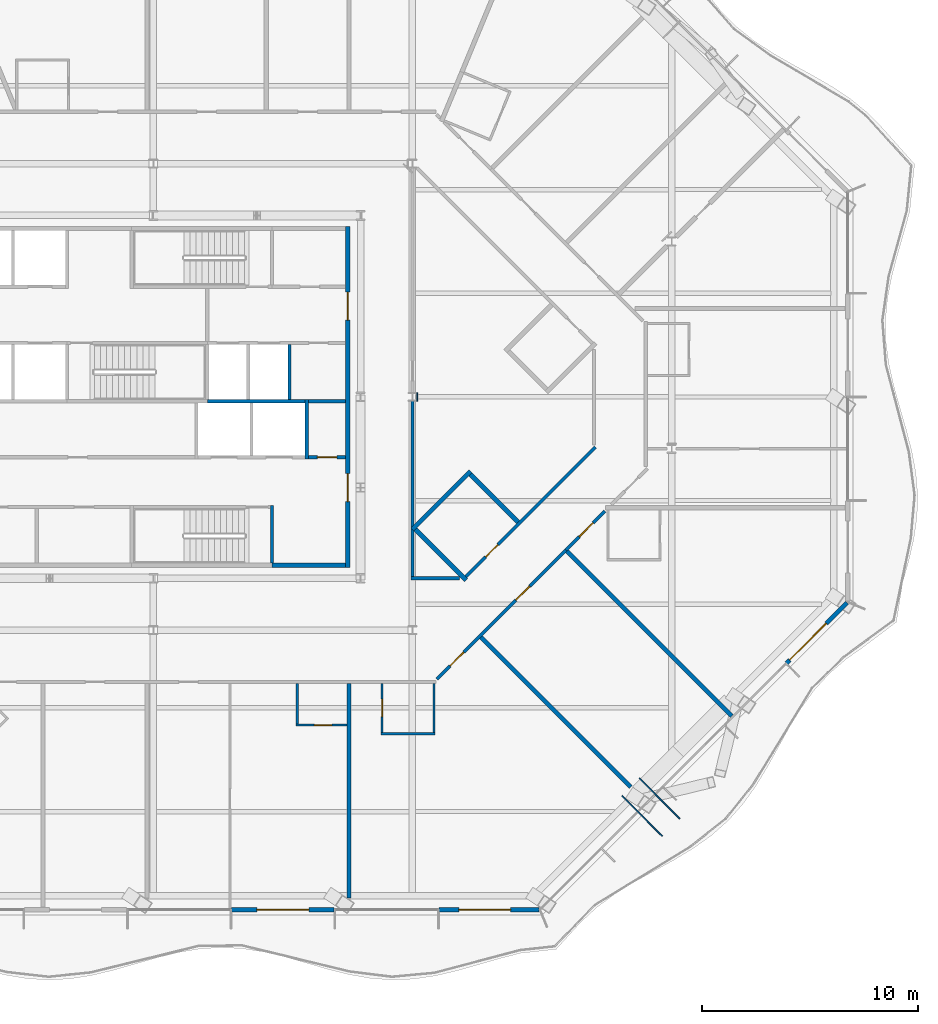
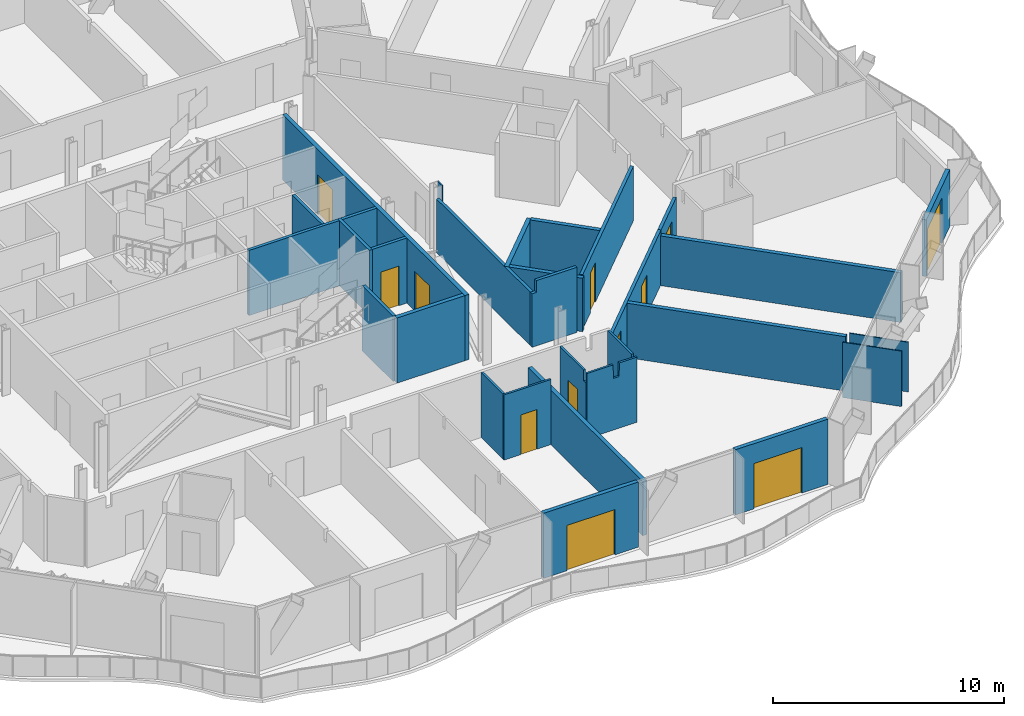
# One storey, part 9 of 19: 30 walls, 12 doors, 12 openings.
"""IFC4 building model written with IfcOpenShell, lengths in metres."""

from ifc_helpers import new_model, si_unit, direction, frame, frame_2d, origin, place, context, subcontext, project, spatial, polyline, rectangle, outline, extrude, material, layer, layer_set, type_object, element, fill, save


model = new_model("IFC4")

# Units and contexts
model_context = context("Model", 3, precision=1e-05, world=origin(), true_north=direction((0.0, 1.0)))
body_context = subcontext(model_context, "Body", "Model", "MODEL_VIEW")
ifc_project = project(units=[si_unit("LENGTHUNIT", "METRE"), si_unit("AREAUNIT", "SQUARE_METRE"), si_unit("VOLUMEUNIT", "CUBIC_METRE"), si_unit("PLANEANGLEUNIT", "RADIAN"), si_unit("MASSUNIT", "GRAM", prefix="KILO")], contexts=[model_context])

# Site, building, storey
site_placement = place(None, origin())
site = spatial("IfcSite", under=ifc_project, at=site_placement, CompositionType="ELEMENT")
building_placement = place(site_placement, origin())
building = spatial("IfcBuilding", under=site, at=building_placement, Name="Cairn Pilgrim Tower", CompositionType="ELEMENT")
storey_placement = place(building_placement, frame((0.0, 0.0, 186.60009765625)))
storey = spatial("IfcBuildingStorey", under=building, at=storey_placement, Name="L47", CompositionType="ELEMENT", Elevation=186.60009765625)

# Wall, opening, door
ifc_material_1 = material(Name="Bronze anodised aluminium insulated sandwich panel with mineral wool fill", Category="aluminium")
ifc_layer_1 = layer(ifc_material_1, 0.199951171875)
ifc_layer_set_1 = layer_set([ifc_layer_1], Name="BRONZE INFILL FRAME WALL 200")
wall_type_1 = type_object("IfcWallType", Name="BRONZE INFILL FRAME WALL 200", PredefinedType="NOTDEFINED", material=ifc_layer_set_1)
wall_1_placement = place(storey_placement, frame((10.830078125, -21.35009765625, 0.0), z_axis=(0.0, 0.0, 1.0), x_axis=(1.0, 0.0, 0.0)))
wall_1 = element("IfcWall", 1, at=wall_1_placement, inside=storey, type_object=wall_type_1, Name="Bronze infill frame wall IW-S4", PredefinedType="NOTDEFINED", context=body_context, shape_type="SweptSolid", body=[
    extrude(rectangle(XDim=4.739990234375, YDim=0.199951171875, at=frame_2d((2.3701171875, 0.0))), origin(), (0.0, 0.0, 1.0), 3.449951171875),
])
opening_1_placement = place(wall_1_placement, frame((1.169921875, 0.0, 0.0)))
opening_1 = element("IfcOpeningElement", 2, at=opening_1_placement, cuts=wall_1, Name="Opening 4722SB", PredefinedType="OPENING", context=body_context, shape_type="SweptSolid", body=[
    extrude(rectangle(XDim=2.39990234375, YDim=2.39990234375, at=frame_2d((1.199951171875, 1.199951171875))), frame((0.0, 0.10986328125, 0.0), z_axis=(0.0, -1.0, 0.0), x_axis=(1.0, 0.0, 0.0)), (0.0, 0.0, 1.0), 0.219970703125),
])
ifc_material_2 = material(Name="Bronze anodised aluminium frame with tinted low-E glass", Category="aluminium")
door_type_1 = type_object("IfcDoorType", Name="BALCONY SLIDING DOOR 2400x2400", OperationType="DOUBLE_DOOR_SLIDING", PredefinedType="DOOR", material=ifc_material_2)
door_1_placement = place(opening_1_placement, origin())
door_1 = element("IfcDoor", 3, at=door_1_placement, inside=storey, type_object=door_type_1, Name="Balcony sliding door 4722SB", OperationType="SINGLE_SWING_LEFT", OverallHeight=2.39990234375, OverallWidth=2.39990234375, PredefinedType="DOOR", context=body_context, shape_type="SweptSolid", body=[
    extrude(rectangle(XDim=2.39990234375, YDim=2.39990234375, at=frame_2d((1.199951171875, 1.199951171875))), frame((0.0, 0.02490234375, 0.0), z_axis=(0.0, -1.0, 0.0), x_axis=(1.0, 0.0, 0.0)), (0.0, 0.0, 1.0), 0.050048828125),
])
fill(opening_1, door_1)

wall_2_placement = place(storey_placement, frame((20.429931640625, -21.35009765625, 0.0), z_axis=(0.0, 0.0, 1.0), x_axis=(1.0, 0.0, 0.0)))
wall_2 = element("IfcWall", 4, at=wall_2_placement, inside=storey, type_object=wall_type_1, Name="Bronze infill frame wall IW-S6", PredefinedType="NOTDEFINED", context=body_context, shape_type="SweptSolid", body=[
    extrude(rectangle(XDim=4.62646484375, YDim=0.199951171875, at=frame_2d((2.313232421875, 0.0))), origin(), (0.0, 0.0, 1.0), 3.449951171875),
])
opening_2_placement = place(wall_2_placement, frame((0.918212890625, 0.0, 0.0)))
opening_2 = element("IfcOpeningElement", 5, at=opening_2_placement, cuts=wall_2, Name="Opening 4701B", PredefinedType="OPENING", context=body_context, shape_type="SweptSolid", body=[
    extrude(rectangle(XDim=2.39990234375, YDim=2.39990234375, at=frame_2d((1.199951171875, 1.199951171875))), frame((0.0, 0.10986328125, 0.0), z_axis=(0.0, -1.0, 0.0), x_axis=(1.0, 0.0, 0.0)), (0.0, 0.0, 1.0), 0.219970703125),
])
door_2_placement = place(opening_2_placement, origin())
door_2 = element("IfcDoor", 6, at=door_2_placement, inside=storey, type_object=door_type_1, Name="Balcony sliding door 4701B", OperationType="SINGLE_SWING_LEFT", OverallHeight=2.39990234375, OverallWidth=2.39990234375, PredefinedType="DOOR", context=body_context, shape_type="SweptSolid", body=[
    extrude(rectangle(XDim=2.39990234375, YDim=2.39990234375, at=frame_2d((1.199951171875, 1.199951171875))), frame((0.0, 0.02490234375, 0.0), z_axis=(0.0, -1.0, 0.0), x_axis=(1.0, 0.0, 0.0)), (0.0, 0.0, 1.0), 0.050048828125),
])
fill(opening_2, door_2)

wall_3_placement = place(storey_placement, frame((36.5205078125, -9.926025390625, 0.0), z_axis=(0.0, 0.0, 1.0), x_axis=(0.707106781187, 0.707106781187, 0.0)))
wall_3 = element("IfcWall", 7, at=wall_3_placement, inside=storey, type_object=wall_type_1, Name="Bronze infill frame wall IW-SE5", PredefinedType="NOTDEFINED", context=body_context, shape_type="SweptSolid", body=[
    extrude(rectangle(XDim=3.961669921875, YDim=0.199951171875, at=frame_2d((1.98095703125, 0.0))), origin(), (0.0, 0.0, 1.0), 3.0),
])
opening_3_placement = place(wall_3_placement, frame((0.199951171875, 0.0, 0.0)))
opening_3 = element("IfcOpeningElement", 8, at=opening_3_placement, cuts=wall_3, Name="Opening 4703B2", PredefinedType="OPENING", context=body_context, shape_type="SweptSolid", body=[
    extrude(rectangle(XDim=2.39990234375, YDim=2.39990234375, at=frame_2d((1.199951171875, 1.199951171875))), frame((0.0, 0.10986328125, 0.0), z_axis=(0.0, -1.0, 0.0), x_axis=(1.0, 0.0, 0.0)), (0.0, 0.0, 1.0), 0.219970703125),
])
door_3_placement = place(opening_3_placement, origin())
door_3 = element("IfcDoor", 9, at=door_3_placement, inside=storey, type_object=door_type_1, Name="Balcony sliding door 4703B2", OperationType="SINGLE_SWING_LEFT", OverallHeight=2.39990234375, OverallWidth=2.39990234375, PredefinedType="DOOR", context=body_context, shape_type="SweptSolid", body=[
    extrude(rectangle(XDim=2.39990234375, YDim=2.39990234375, at=frame_2d((1.199951171875, 1.199951171875))), frame((0.0, 0.02490234375, 0.0), z_axis=(0.0, -1.0, 0.0), x_axis=(1.0, 0.0, 0.0)), (0.0, 0.0, 1.0), 0.050048828125),
])
fill(opening_3, door_3)

# Wall
ifc_material_3 = material(Name="Concrete C32/40", Category="concrete")
ifc_layer_2 = layer(ifc_material_3, 0.199951171875)
ifc_layer_set_2 = layer_set([ifc_layer_2], Name="CORE OUTER WALL 200 EI 120")
wall_type_2 = type_object("IfcWallType", Name="CORE OUTER WALL 200 EI 120", PredefinedType="SOLIDWALL", material=ifc_layer_set_2)
wall_4_placement = place(storey_placement, frame((12.699951171875, -5.39990234375, 0.0), z_axis=(0.0, 0.0, 1.0), x_axis=(1.0, 0.0, 0.0)))
element("IfcWall", 10, at=wall_4_placement, inside=storey, type_object=wall_type_2, Name="CW:L47:H01-3", PredefinedType="SOLIDWALL", context=body_context, shape_type="SweptSolid", body=[
    extrude(rectangle(XDim=3.400146484375, YDim=0.199951171875, at=frame_2d((1.7001953125, 0.0))), origin(), (0.0, 0.0, 1.0), 3.449951171875),
])

# Wall, openings, doors
wall_5_placement = place(storey_placement, frame((16.199951171875, -5.5, 0.0), z_axis=(0.0, 0.0, 1.0), x_axis=(0.0, 1.0, 0.0)))
wall_5 = element("IfcWall", 11, at=wall_5_placement, inside=storey, type_object=wall_type_2, Name="CW:L47:V30", PredefinedType="SOLIDWALL", context=body_context, shape_type="SweptSolid", body=[
    extrude(rectangle(XDim=15.800048828125, YDim=0.199951171875, at=frame_2d((7.89990234375, 0.0))), origin(), (0.0, 0.0, 1.0), 3.449951171875),
])
opening_4_placement = place(wall_5_placement, frame((3.050048828125, 0.0, 0.0)))
opening_4 = element("IfcOpeningElement", 12, at=opening_4_placement, cuts=wall_5, Name="Opening CD-E1", PredefinedType="OPENING", context=body_context, shape_type="SweptSolid", body=[
    extrude(rectangle(XDim=1.300048828125, YDim=2.10009765625, at=frame_2d((0.64990234375, 1.050048828125))), frame((0.0, 0.10986328125, 0.0), z_axis=(0.0, -1.0, 0.0), x_axis=(1.0, 0.0, 0.0)), (0.0, 0.0, 1.0), 0.219970703125),
])
opening_5_placement = place(wall_5_placement, frame((11.449951171875, 0.0, 0.0)))
opening_5 = element("IfcOpeningElement", 13, at=opening_5_placement, cuts=wall_5, Name="Opening CD-E2", PredefinedType="OPENING", context=body_context, shape_type="SweptSolid", body=[
    extrude(rectangle(XDim=1.300048828125, YDim=2.10009765625, at=frame_2d((0.64990234375, 1.050048828125))), frame((0.0, 0.10986328125, 0.0), z_axis=(0.0, -1.0, 0.0), x_axis=(1.0, 0.0, 0.0)), (0.0, 0.0, 1.0), 0.219970703125),
])
ifc_material_4 = material(Name="Painted steel", Category="steel")
door_type_2 = type_object("IfcDoorType", Name="CORE LOBBY DOOR 1300x2100", OperationType="DOUBLE_DOOR_SINGLE_SWING", PredefinedType="DOOR", material=ifc_material_4)
door_4_placement = place(opening_4_placement, origin())
door_4 = element("IfcDoor", 14, at=door_4_placement, inside=storey, type_object=door_type_2, Name="CD-E1", OperationType="DOUBLE_DOOR_SINGLE_SWING", OverallHeight=2.10009765625, OverallWidth=1.300048828125, PredefinedType="DOOR", context=body_context, shape_type="SweptSolid", body=[
    extrude(rectangle(XDim=1.300048828125, YDim=2.10009765625, at=frame_2d((0.64990234375, 1.050048828125))), frame((0.0, 0.02490234375, 0.0), z_axis=(0.0, -1.0, 0.0), x_axis=(1.0, 0.0, 0.0)), (0.0, 0.0, 1.0), 0.050048828125),
])
fill(opening_4, door_4)
door_5_placement = place(opening_5_placement, origin())
door_5 = element("IfcDoor", 15, at=door_5_placement, inside=storey, type_object=door_type_2, Name="CD-E2", OperationType="DOUBLE_DOOR_SINGLE_SWING", OverallHeight=2.10009765625, OverallWidth=1.300048828125, PredefinedType="DOOR", context=body_context, shape_type="SweptSolid", body=[
    extrude(rectangle(XDim=1.300048828125, YDim=2.10009765625, at=frame_2d((0.64990234375, 1.050048828125))), frame((0.0, 0.02490234375, 0.0), z_axis=(0.0, -1.0, 0.0), x_axis=(1.0, 0.0, 0.0)), (0.0, 0.0, 1.0), 0.050048828125),
])
fill(opening_5, door_5)

# Wall, opening, door
ifc_layer_3 = layer(ifc_material_3, 0.14990234375)
ifc_layer_set_3 = layer_set([ifc_layer_3], Name="CORE PARTITION 150 EI 60")
wall_type_3 = type_object("IfcWallType", Name="CORE PARTITION 150 EI 60", PredefinedType="PARTITIONING", material=ifc_layer_set_3)
wall_6_placement = place(storey_placement, frame((14.375, -0.39990234375, 0.0), z_axis=(0.0, 0.0, 1.0), x_axis=(1.0, 0.0, 0.0)))
wall_6 = element("IfcWall", 16, at=wall_6_placement, inside=storey, type_object=wall_type_3, Name="CW:L47:H06", PredefinedType="PARTITIONING", context=body_context, shape_type="SweptSolid", body=[
    extrude(rectangle(XDim=1.72509765625, YDim=0.14990234375, at=frame_2d((0.862548828125, 0.0))), origin(), (0.0, 0.0, 1.0), 3.449951171875),
])
opening_6_placement = place(wall_6_placement, frame((0.425048828125, 0.0, 0.0)))
opening_6 = element("IfcOpeningElement", 17, at=opening_6_placement, cuts=wall_6, Name="Opening RD-R2E", PredefinedType="OPENING", context=body_context, shape_type="SweptSolid", body=[
    extrude(rectangle(XDim=0.89990234375, YDim=2.10009765625, at=frame_2d((0.449951171875, 1.050048828125))), frame((0.0, 0.0849609375, 0.0), z_axis=(0.0, -1.0, 0.0), x_axis=(1.0, 0.0, 0.0)), (0.0, 0.0, 1.0), 0.169921875),
])
door_type_3 = type_object("IfcDoorType", Name="SERVICE ROOM DOOR 900x2100", OperationType="SINGLE_SWING_LEFT", PredefinedType="DOOR", material=ifc_material_4)
door_6_placement = place(opening_6_placement, origin())
door_6 = element("IfcDoor", 18, at=door_6_placement, inside=storey, type_object=door_type_3, Name="RD-R2E", OperationType="SINGLE_SWING_LEFT", OverallHeight=2.10009765625, OverallWidth=0.89990234375, PredefinedType="DOOR", context=body_context, shape_type="SweptSolid", body=[
    extrude(rectangle(XDim=0.89990234375, YDim=2.10009765625, at=frame_2d((0.449951171875, 1.050048828125))), frame((0.0, 0.02490234375, 0.0), z_axis=(0.0, -1.0, 0.0), x_axis=(1.0, 0.0, 0.0)), (0.0, 0.0, 1.0), 0.050048828125),
])
fill(opening_6, door_6)

# Walls
wall_7_placement = place(storey_placement, frame((14.375, 2.199951171875, 0.0), z_axis=(0.0, 0.0, 1.0), x_axis=(1.0, 0.0, 0.0)))
element("IfcWall", 19, at=wall_7_placement, inside=storey, type_object=wall_type_3, Name="CW:L47:H08", PredefinedType="PARTITIONING", context=body_context, shape_type="SweptSolid", body=[
    extrude(rectangle(XDim=1.72509765625, YDim=0.14990234375, at=frame_2d((0.862548828125, 0.0))), origin(), (0.0, 0.0, 1.0), 3.449951171875),
])
ifc_layer_4 = layer(ifc_material_3, 0.14990234375)
ifc_layer_set_4 = layer_set([ifc_layer_4], Name="CORE SHAFT WALL 150 EI 120")
wall_type_4 = type_object("IfcWallType", Name="CORE SHAFT WALL 150 EI 120", PredefinedType="SOLIDWALL", material=ifc_layer_set_4)
wall_8_placement = place(storey_placement, frame((9.699951171875, 2.199951171875, 0.0), z_axis=(0.0, 0.0, 1.0), x_axis=(1.0, 0.0, 0.0)))
element("IfcWall", 20, at=wall_8_placement, inside=storey, type_object=wall_type_4, Name="CW:L47:H07-3", PredefinedType="SOLIDWALL", context=body_context, shape_type="SweptSolid", body=[
    extrude(rectangle(XDim=4.525146484375, YDim=0.14990234375, at=frame_2d((2.2626953125, 0.0))), origin(), (0.0, 0.0, 1.0), 3.449951171875),
])
wall_9_placement = place(storey_placement, frame((13.5, 2.27490234375, 0.0), z_axis=(0.0, 0.0, 1.0), x_axis=(0.0, 1.0, 0.0)))
element("IfcWall", 21, at=wall_9_placement, inside=storey, type_object=wall_type_4, Name="CW:L47:V28", PredefinedType="SOLIDWALL", context=body_context, shape_type="SweptSolid", body=[
    extrude(rectangle(XDim=2.550048828125, YDim=0.14990234375, at=frame_2d((1.27490234375, 0.0))), origin(), (0.0, 0.0, 1.0), 3.449951171875),
])
wall_10_placement = place(storey_placement, frame((14.300048828125, -0.47509765625, 0.0), z_axis=(0.0, 0.0, 1.0), x_axis=(0.0, 1.0, 0.0)))
element("IfcWall", 22, at=wall_10_placement, inside=storey, type_object=wall_type_4, Name="CW:L47:V29", PredefinedType="SOLIDWALL", context=body_context, shape_type="SweptSolid", body=[
    extrude(rectangle(XDim=2.75, YDim=0.14990234375, at=frame_2d((1.375, 0.0))), origin(), (0.0, 0.0, 1.0), 3.449951171875),
])
ifc_material_5 = material(Name="Gypsum partition")
ifc_layer_5 = layer(ifc_material_5, 0.10009765625)
ifc_layer_set_5 = layer_set([ifc_layer_5], Name="PARTITION 100 DRYWALL")
wall_type_5 = type_object("IfcWallType", Name="PARTITION 100 DRYWALL", PredefinedType="PARTITIONING", material=ifc_layer_set_5)
wall_11_placement = place(storey_placement, frame((17.743896484375, -13.199951171875, 0.0), z_axis=(0.0, 0.0, 1.0), x_axis=(1.0, 0.0, 0.0)))
element("IfcWall", 23, at=wall_11_placement, inside=storey, type_object=wall_type_5, Name="PARTITION W010", PredefinedType="PARTITIONING", context=body_context, shape_type="SweptSolid", body=[
    extrude(outline(polyline([(0.0, 0.0), (2.5, 0.0), (2.5, 3.449951171875), (1.60595703125, 3.449951171875), (1.60400390625, 2.72998046875), (1.305908203125, 2.72998046875), (1.303955078125, 3.449951171875), (0.0, 3.449951171875), (0.0, 0.0)])), frame((0.0, 0.050048828125, 0.0), z_axis=(0.0, -1.0, 0.0), x_axis=(1.0, 0.0, 0.0)), (0.0, 0.0, 1.0), 0.10009765625),
])

# Wall, opening, door
wall_12_placement = place(storey_placement, frame((17.7939453125, -13.14990234375, 0.0), z_axis=(0.0, 0.0, 1.0), x_axis=(0.0, 1.0, 0.0)))
wall_12 = element("IfcWall", 24, at=wall_12_placement, inside=storey, type_object=wall_type_5, Name="PARTITION W011", PredefinedType="PARTITIONING", context=body_context, shape_type="SweptSolid", body=[
    extrude(outline(polyline([(0.0, 0.0), (2.27490234375, 0.0), (2.27490234375, 3.449951171875), (0.205078125, 3.449951171875), (0.202880859375, 2.8798828125), (0.0, 2.8798828125), (0.0, 0.0)])), frame((0.0, 0.050048828125, 0.0), z_axis=(0.0, -1.0, 0.0), x_axis=(1.0, 0.0, 0.0)), (0.0, 0.0, 1.0), 0.10009765625),
])
opening_7_placement = place(wall_12_placement, frame((0.75, 0.0, 0.0)))
opening_7 = element("IfcOpeningElement", 25, at=opening_7_placement, cuts=wall_12, Name="Opening 4701A", PredefinedType="OPENING", context=body_context, shape_type="SweptSolid", body=[
    extrude(rectangle(XDim=0.800048828125, YDim=2.10009765625, at=frame_2d((0.39990234375, 1.050048828125))), frame((0.0, 0.06005859375, 0.0), z_axis=(0.0, -1.0, 0.0), x_axis=(1.0, 0.0, 0.0)), (0.0, 0.0, 1.0), 0.1201171875),
])
ifc_material_6 = material(Name="Timber door leaf", Category="wood")
door_type_4 = type_object("IfcDoorType", Name="WC DOOR 800x2100", OperationType="NOTDEFINED", PredefinedType="DOOR", material=ifc_material_6)
door_7_placement = place(opening_7_placement, origin())
door_7 = element("IfcDoor", 26, at=door_7_placement, inside=storey, type_object=door_type_4, Name="DOOR 4701A", OperationType="SINGLE_SWING_RIGHT", OverallHeight=2.10009765625, OverallWidth=0.800048828125, PredefinedType="DOOR", context=body_context, shape_type="SweptSolid", body=[
    extrude(rectangle(XDim=0.800048828125, YDim=2.10009765625, at=frame_2d((0.39990234375, 1.050048828125))), frame((0.0, 0.02490234375, 0.0), z_axis=(0.0, -1.0, 0.0), x_axis=(1.0, 0.0, 0.0)), (0.0, 0.0, 1.0), 0.050048828125),
])
fill(opening_7, door_7)

# Wall
wall_13_placement = place(storey_placement, frame((20.194091796875, -13.14990234375, 0.0), z_axis=(0.0, 0.0, 1.0), x_axis=(0.0, 1.0, 0.0)))
element("IfcWall", 27, at=wall_13_placement, inside=storey, type_object=wall_type_5, Name="PARTITION W012", PredefinedType="PARTITIONING", context=body_context, shape_type="SweptSolid", body=[
    extrude(outline(polyline([(0.0, 0.0), (2.27490234375, 0.0), (2.27490234375, 3.449951171875), (0.205078125, 3.449951171875), (0.202880859375, 2.8798828125), (0.0, 2.8798828125), (0.0, 0.0)])), frame((0.0, 0.050048828125, 0.0), z_axis=(0.0, -1.0, 0.0), x_axis=(1.0, 0.0, 0.0)), (0.0, 0.0, 1.0), 0.10009765625),
])

# Wall, opening, door
wall_14_placement = place(storey_placement, frame((13.81298828125, -12.800048828125, 0.0), z_axis=(0.0, 0.0, 1.0), x_axis=(1.0, 0.0, 0.0)))
wall_14 = element("IfcWall", 28, at=wall_14_placement, inside=storey, type_object=wall_type_5, Name="PARTITION W013", PredefinedType="PARTITIONING", context=body_context, shape_type="SweptSolid", body=[
    extrude(rectangle(XDim=2.35009765625, YDim=0.10009765625, at=frame_2d((1.175048828125, 0.0))), origin(), (0.0, 0.0, 1.0), 3.449951171875),
])
opening_8_placement = place(wall_14_placement, frame((0.85009765625, 0.0, 0.0)))
opening_8 = element("IfcOpeningElement", 29, at=opening_8_placement, cuts=wall_14, Name="Opening 4722A", PredefinedType="OPENING", context=body_context, shape_type="SweptSolid", body=[
    extrude(rectangle(XDim=0.800048828125, YDim=2.10009765625, at=frame_2d((0.39990234375, 1.050048828125))), frame((0.0, 0.06005859375, 0.0), z_axis=(0.0, -1.0, 0.0), x_axis=(1.0, 0.0, 0.0)), (0.0, 0.0, 1.0), 0.1201171875),
])
door_8_placement = place(opening_8_placement, frame((0.800048828125, 0.0, 0.0), z_axis=(0.0, 0.0, 1.0), x_axis=(-1.0, 0.0, 0.0)))
door_8 = element("IfcDoor", 30, at=door_8_placement, inside=storey, type_object=door_type_4, Name="DOOR 4722A", OperationType="SINGLE_SWING_RIGHT", OverallHeight=2.10009765625, OverallWidth=0.800048828125, PredefinedType="DOOR", context=body_context, shape_type="SweptSolid", body=[
    extrude(rectangle(XDim=0.800048828125, YDim=2.10009765625, at=frame_2d((0.39990234375, 1.050048828125))), frame((0.0, 0.02490234375, 0.0), z_axis=(0.0, -1.0, 0.0), x_axis=(1.0, 0.0, 0.0)), (0.0, 0.0, 1.0), 0.050048828125),
])
fill(opening_8, door_8)

# Wall
wall_15_placement = place(storey_placement, frame((13.863037109375, -12.75, 0.0), z_axis=(0.0, 0.0, 1.0), x_axis=(0.0, 1.0, 0.0)))
element("IfcWall", 31, at=wall_15_placement, inside=storey, type_object=wall_type_5, Name="PARTITION W014", PredefinedType="PARTITIONING", context=body_context, shape_type="SweptSolid", body=[
    extrude(rectangle(XDim=1.875, YDim=0.10009765625, at=frame_2d((0.9375, 0.0))), origin(), (0.0, 0.0, 1.0), 3.449951171875),
])

# Wall, openings, doors
ifc_layer_6 = layer(ifc_material_5, 0.14990234375)
ifc_layer_set_6 = layer_set([ifc_layer_6], Name="PARTITION 150 DRYWALL EI 60")
wall_type_6 = type_object("IfcWallType", Name="PARTITION 150 DRYWALL EI 60", PredefinedType="PARTITIONING", material=ifc_layer_set_6)
wall_16_placement = place(storey_placement, frame((20.322021484375, -10.672119140625, 0.0), z_axis=(0.0, 0.0, 1.0), x_axis=(0.707106781187, 0.707106781187, 0.0)))
wall_16 = element("IfcWall", 32, at=wall_16_placement, inside=storey, type_object=wall_type_6, Name="PARTITION W022", PredefinedType="PARTITIONING", context=body_context, shape_type="SweptSolid", body=[
    extrude(rectangle(XDim=8.449951171875, YDim=0.14990234375, at=frame_2d((4.22509765625, 0.0))), origin(), (0.0, 0.0, 1.0), 2.8798828125),
])
opening_9_placement = place(wall_16_placement, frame((0.868896484375, 0.0, 0.0)))
opening_9 = element("IfcOpeningElement", 33, at=opening_9_placement, cuts=wall_16, Name="Opening 4701", PredefinedType="OPENING", context=body_context, shape_type="SweptSolid", body=[
    extrude(rectangle(XDim=0.89990234375, YDim=2.10009765625, at=frame_2d((0.449951171875, 1.050048828125))), frame((0.0, 0.0849609375, 0.0), z_axis=(0.0, -1.0, 0.0), x_axis=(1.0, 0.0, 0.0)), (0.0, 0.0, 1.0), 0.169921875),
])
opening_10_placement = place(wall_16_placement, frame((5.184814453125, 0.0, 0.0)))
opening_10 = element("IfcOpeningElement", 34, at=opening_10_placement, cuts=wall_16, Name="Opening 4702", PredefinedType="OPENING", context=body_context, shape_type="SweptSolid", body=[
    extrude(rectangle(XDim=0.89990234375, YDim=2.10009765625, at=frame_2d((0.449951171875, 1.050048828125))), frame((0.0, 0.0849609375, 0.0), z_axis=(0.0, -1.0, 0.0), x_axis=(1.0, 0.0, 0.0)), (0.0, 0.0, 1.0), 0.169921875),
])
door_type_5 = type_object("IfcDoorType", Name="ROOM DOOR 900x2100 FD30S", OperationType="NOTDEFINED", PredefinedType="DOOR", material=ifc_material_6)
door_9_placement = place(opening_9_placement, frame((0.89990234375, 0.0, 0.0), z_axis=(0.0, 0.0, 1.0), x_axis=(-1.0, 0.0, 0.0)))
door_9 = element("IfcDoor", 35, at=door_9_placement, inside=storey, type_object=door_type_5, Name="DOOR 4701", OperationType="SINGLE_SWING_RIGHT", OverallHeight=2.10009765625, OverallWidth=0.89990234375, PredefinedType="DOOR", context=body_context, shape_type="SweptSolid", body=[
    extrude(rectangle(XDim=0.89990234375, YDim=2.10009765625, at=frame_2d((0.449951171875, 1.050048828125))), frame((0.0, 0.02490234375, 0.0), z_axis=(0.0, -1.0, 0.0), x_axis=(1.0, 0.0, 0.0)), (0.0, 0.0, 1.0), 0.050048828125),
])
fill(opening_9, door_9)
door_type_6 = type_object("IfcDoorType", Name="SERVICE DOOR 900x2100 FD30S", OperationType="NOTDEFINED", PredefinedType="DOOR", material=ifc_material_6)
door_10_placement = place(opening_10_placement, frame((0.89990234375, 0.0, 0.0), z_axis=(0.0, 0.0, 1.0), x_axis=(-1.0, 0.0, 0.0)))
door_10 = element("IfcDoor", 36, at=door_10_placement, inside=storey, type_object=door_type_6, Name="DOOR 4702", OperationType="SINGLE_SWING_RIGHT", OverallHeight=2.10009765625, OverallWidth=0.89990234375, PredefinedType="DOOR", context=body_context, shape_type="SweptSolid", body=[
    extrude(rectangle(XDim=0.89990234375, YDim=2.10009765625, at=frame_2d((0.449951171875, 1.050048828125))), frame((0.0, 0.02490234375, 0.0), z_axis=(0.0, -1.0, 0.0), x_axis=(1.0, 0.0, 0.0)), (0.0, 0.0, 1.0), 0.050048828125),
])
fill(opening_10, door_10)

# Walls
wall_17_placement = place(storey_placement, frame((19.125, -6.0, 0.0), z_axis=(0.0, 0.0, 1.0), x_axis=(1.0, 0.0, 0.0)))
element("IfcWall", 37, at=wall_17_placement, inside=storey, type_object=wall_type_6, Name="PARTITION W027", PredefinedType="PARTITIONING", context=body_context, shape_type="SweptSolid", body=[
    extrude(outline(polyline([(0.0, 0.0), (2.258544921875, 0.0), (2.258544921875, 3.449951171875), (0.22509765625, 3.449951171875), (0.222900390625, 2.829833984375), (0.0, 2.829833984375), (0.0, 0.0)])), frame((0.0, 0.074951171875, 0.0), z_axis=(0.0, -1.0, 0.0), x_axis=(1.0, 0.0, 0.0)), (0.0, 0.0, 1.0), 0.14990234375),
])
wall_18_placement = place(storey_placement, frame((19.199951171875, -5.925048828125, 0.0), z_axis=(0.0, 0.0, 1.0), x_axis=(0.0, 1.0, 0.0)))
element("IfcWall", 38, at=wall_18_placement, inside=storey, type_object=wall_type_6, Name="PARTITION W028", PredefinedType="PARTITIONING", context=body_context, shape_type="SweptSolid", body=[
    extrude(rectangle(XDim=8.128662109375, YDim=0.14990234375, at=frame_2d((4.064453125, 0.0))), origin(), (0.0, 0.0, 1.0), 2.829833984375),
])

# Wall, opening, door
wall_19_placement = place(storey_placement, frame((21.670654296875, -5.92919921875, 0.0), z_axis=(0.0, 0.0, 1.0), x_axis=(0.707121156928, 0.707092405153, 0.0)))
wall_19 = element("IfcWall", 39, at=wall_19_placement, inside=storey, type_object=wall_type_6, Name="PARTITION W029", PredefinedType="PARTITIONING", context=body_context, shape_type="SweptSolid", body=[
    extrude(rectangle(XDim=8.4912109375, YDim=0.14990234375, at=frame_2d((4.24560546875, 0.0))), origin(), (0.0, 0.0, 1.0), 2.8798828125),
])
opening_11_placement = place(wall_19_placement, frame((1.300048828125, 0.0, 0.0)))
opening_11 = element("IfcOpeningElement", 40, at=opening_11_placement, cuts=wall_19, Name="Opening 4724", PredefinedType="OPENING", context=body_context, shape_type="SweptSolid", body=[
    extrude(rectangle(XDim=0.800048828125, YDim=2.10009765625, at=frame_2d((0.39990234375, 1.050048828125))), frame((0.0, 0.0849609375, 0.0), z_axis=(0.0, -1.0, 0.0), x_axis=(1.0, 0.0, 0.0)), (0.0, 0.0, 1.0), 0.169921875),
])
door_type_7 = type_object("IfcDoorType", Name="WC DOOR 800x2100 FD30S", OperationType="NOTDEFINED", PredefinedType="DOOR", material=ifc_material_6)
door_11_placement = place(opening_11_placement, origin())
door_11 = element("IfcDoor", 41, at=door_11_placement, inside=storey, type_object=door_type_7, Name="DOOR 4724", OperationType="SINGLE_SWING_RIGHT", OverallHeight=2.10009765625, OverallWidth=0.800048828125, PredefinedType="DOOR", context=body_context, shape_type="SweptSolid", body=[
    extrude(rectangle(XDim=0.800048828125, YDim=2.10009765625, at=frame_2d((0.39990234375, 1.050048828125))), frame((0.0, 0.02490234375, 0.0), z_axis=(0.0, -1.0, 0.0), x_axis=(1.0, 0.0, 0.0)), (0.0, 0.0, 1.0), 0.050048828125),
])
fill(opening_11, door_11)

wall_20_placement = place(storey_placement, frame((26.297119140625, -4.697021484375, 0.0), z_axis=(0.0, 0.0, 1.0), x_axis=(0.707250205701, 0.706963327575, 0.0)))
wall_20 = element("IfcWall", 42, at=wall_20_placement, inside=storey, type_object=wall_type_6, Name="PARTITION W034", PredefinedType="PARTITIONING", context=body_context, shape_type="SweptSolid", body=[
    extrude(rectangle(XDim=2.552978515625, YDim=0.14990234375, at=frame_2d((1.2763671875, 0.0))), origin(), (0.0, 0.0, 1.0), 2.8798828125),
])
opening_12_placement = place(wall_20_placement, frame((0.884765625, 0.0, 0.0)))
opening_12 = element("IfcOpeningElement", 43, at=opening_12_placement, cuts=wall_20, Name="Opening 4703", PredefinedType="OPENING", context=body_context, shape_type="SweptSolid", body=[
    extrude(rectangle(XDim=0.89990234375, YDim=2.10009765625, at=frame_2d((0.449951171875, 1.050048828125))), frame((0.0, 0.0849609375, 0.0), z_axis=(0.0, -1.0, 0.0), x_axis=(1.0, 0.0, 0.0)), (0.0, 0.0, 1.0), 0.169921875),
])
door_12_placement = place(opening_12_placement, frame((0.89990234375, 0.0, 0.0), z_axis=(0.0, 0.0, 1.0), x_axis=(-1.0, 0.0, 0.0)))
door_12 = element("IfcDoor", 44, at=door_12_placement, inside=storey, type_object=door_type_5, Name="DOOR 4703", OperationType="SINGLE_SWING_RIGHT", OverallHeight=2.10009765625, OverallWidth=0.89990234375, PredefinedType="DOOR", context=body_context, shape_type="SweptSolid", body=[
    extrude(rectangle(XDim=0.89990234375, YDim=2.10009765625, at=frame_2d((0.449951171875, 1.050048828125))), frame((0.0, 0.02490234375, 0.0), z_axis=(0.0, -1.0, 0.0), x_axis=(1.0, 0.0, 0.0)), (0.0, 0.0, 1.0), 0.050048828125),
])
fill(opening_12, door_12)

# Walls
ifc_layer_7 = layer(ifc_material_5, 0.050048828125)
ifc_layer_set_7 = layer_set([ifc_layer_7], Name="PARTITION 50 DRYWALL EI 60")
wall_type_7 = type_object("IfcWallType", Name="PARTITION 50 DRYWALL EI 60", PredefinedType="PARTITIONING", material=ifc_layer_set_7)
wall_21_placement = place(storey_placement, frame((30.767822265625, -17.9375, 0.0), z_axis=(0.0, 0.0, 1.0), x_axis=(-0.707106781187, 0.707106781187, 0.0)))
element("IfcWall", 45, at=wall_21_placement, inside=storey, type_object=wall_type_7, Name="COLUMN CASING WC03", PredefinedType="PARTITIONING", context=body_context, shape_type="SweptSolid", body=[
    extrude(rectangle(XDim=2.638427734375, YDim=0.050048828125, at=frame_2d((1.3193359375, 0.0))), origin(), (0.0, 0.0, 1.0), 2.929931640625),
])
wall_22_placement = place(storey_placement, frame((31.57568359375, -17.129638671875, 0.0), z_axis=(0.0, 0.0, 1.0), x_axis=(-0.707060512135, 0.707153047211, 0.0)))
element("IfcWall", 46, at=wall_22_placement, inside=storey, type_object=wall_type_7, Name="COLUMN CASING WC04", PredefinedType="PARTITIONING", context=body_context, shape_type="SweptSolid", body=[
    extrude(rectangle(XDim=2.638427734375, YDim=0.050048828125, at=frame_2d((1.3193359375, 0.0))), origin(), (0.0, 0.0, 1.0), 2.6298828125),
])
wall_23_placement = place(storey_placement, frame((19.424560546875, 2.20361328125, 0.0), z_axis=(0.0, 0.0, 1.0), x_axis=(0.0, 1.0, 0.0)))
element("IfcWall", 47, at=wall_23_placement, inside=storey, type_object=wall_type_7, Name="COLUMN CASING WC07", PredefinedType="PARTITIONING", context=body_context, shape_type="SweptSolid", body=[
    extrude(rectangle(XDim=0.392822265625, YDim=0.050048828125, at=frame_2d((0.1962890625, 0.0))), origin(), (0.0, 0.0, 1.0), 3.449951171875),
])
ifc_layer_8 = layer(ifc_material_5, 0.199951171875)
ifc_layer_set_8 = layer_set([ifc_layer_8], Name="SHAFT WALL 200 GYPSUM EI 60")
wall_type_8 = type_object("IfcWallType", Name="SHAFT WALL 200 GYPSUM EI 60", PredefinedType="PARTITIONING", material=ifc_layer_set_8)
wall_24_placement = place(storey_placement, frame((16.262939453125, -20.80908203125, 0.0), z_axis=(0.0, 0.0, 1.0), x_axis=(0.0, 1.0, 0.0)))
element("IfcWall", 48, at=wall_24_placement, inside=storey, type_object=wall_type_8, Name="PARTITION W004", PredefinedType="PARTITIONING", context=body_context, shape_type="SweptSolid", body=[
    extrude(outline(polyline([(0.01171875, 0.0), (9.93408203125, 0.0), (9.93408203125, 0.8623046875), (9.93408203125, 1.724853515625), (9.93408203125, 2.58740234375), (9.93408203125, 2.8798828125), (0.0, 2.8798828125), (0.0, 2.58740234375), (0.0, 1.724853515625), (0.01171875, 0.8623046875), (0.01171875, 0.0)])), frame((0.0, 0.10009765625, 0.0), z_axis=(0.0, -1.0, 0.0), x_axis=(1.0, 0.0, 0.0)), (0.0, 0.0, 1.0), 0.199951171875),
])
wall_25_placement = place(storey_placement, frame((29.305908203125, -15.66796875, 0.0), z_axis=(0.0, 0.0, 1.0), x_axis=(-0.707106781187, 0.707106781187, 0.0)))
element("IfcWall", 49, at=wall_25_placement, inside=storey, type_object=wall_type_8, Name="PARTITION W007", PredefinedType="PARTITIONING", context=body_context, shape_type="SweptSolid", body=[
    extrude(rectangle(XDim=9.81005859375, YDim=0.199951171875, at=frame_2d((4.905029296875, 0.0))), origin(), (0.0, 0.0, 1.0), 2.8798828125),
])
wall_26_placement = place(storey_placement, frame((33.980712890625, -12.380859375, 0.0), z_axis=(0.0, 0.0, 1.0), x_axis=(-0.707095469378, 0.707118092814, 0.0)))
element("IfcWall", 50, at=wall_26_placement, inside=storey, type_object=wall_type_8, Name="PARTITION W018", PredefinedType="PARTITIONING", context=body_context, shape_type="SweptSolid", body=[
    extrude(rectangle(XDim=10.79150390625, YDim=0.199951171875, at=frame_2d((5.395751953125, 0.0))), origin(), (0.0, 0.0, 1.0), 2.6298828125),
])
wall_27_placement = place(storey_placement, frame((21.682373046875, -6.082275390625, 0.0), z_axis=(0.0, 0.0, 1.0), x_axis=(-0.707143579957, 0.707069980501, 0.0)))
element("IfcWall", 51, at=wall_27_placement, inside=storey, type_object=wall_type_8, Name="PARTITION W026", PredefinedType="PARTITIONING", context=body_context, shape_type="SweptSolid", body=[
    extrude(rectangle(XDim=3.317138671875, YDim=0.199951171875, at=frame_2d((1.65869140625, 0.0))), origin(), (0.0, 0.0, 1.0), 2.829833984375),
])
wall_28_placement = place(storey_placement, frame((19.1953125, -3.73681640625, 0.0), z_axis=(0.0, 0.0, 1.0), x_axis=(0.707235264291, 0.706978274732, 0.0)))
element("IfcWall", 52, at=wall_28_placement, inside=storey, type_object=wall_type_8, Name="PARTITION W035", PredefinedType="PARTITIONING", context=body_context, shape_type="SweptSolid", body=[
    extrude(rectangle(XDim=3.800048828125, YDim=0.199951171875, at=frame_2d((1.89990234375, 0.0))), origin(), (0.0, 0.0, 1.0), 2.829833984375),
])
wall_29_placement = place(storey_placement, frame((24.093017578125, -3.40087890625, 0.0), z_axis=(0.0, 0.0, 1.0), x_axis=(-0.707263013346, 0.7069505145, 0.0)))
element("IfcWall", 53, at=wall_29_placement, inside=storey, type_object=wall_type_8, Name="PARTITION W036", PredefinedType="PARTITIONING", context=body_context, shape_type="SweptSolid", body=[
    extrude(rectangle(XDim=3.125, YDim=0.199951171875, at=frame_2d((1.5625, 0.0))), origin(), (0.0, 0.0, 1.0), 2.8798828125),
])
ifc_material_7 = material(Name="Concrete C35/45", Category="concrete")
ifc_layer_9 = layer(ifc_material_7, 0.14990234375)
ifc_layer_set_9 = layer_set([ifc_layer_9], Name="STAIR SHAFT WALL 150 EI 120")
wall_type_9 = type_object("IfcWallType", Name="STAIR SHAFT WALL 150 EI 120", PredefinedType="SOLIDWALL", material=ifc_layer_set_9)
wall_30_placement = place(storey_placement, frame((12.699951171875, -5.300048828125, 0.0), z_axis=(0.0, 0.0, 1.0), x_axis=(0.0, 1.0, 0.0)))
element("IfcWall", 54, at=wall_30_placement, inside=storey, type_object=wall_type_9, Name="CW:L47:V26", PredefinedType="SOLIDWALL", context=body_context, shape_type="SweptSolid", body=[
    extrude(rectangle(XDim=2.675048828125, YDim=0.14990234375, at=frame_2d((1.33740234375, 0.0))), origin(), (0.0, 0.0, 1.0), 3.449951171875),
])

save(model, "model.ifc")
